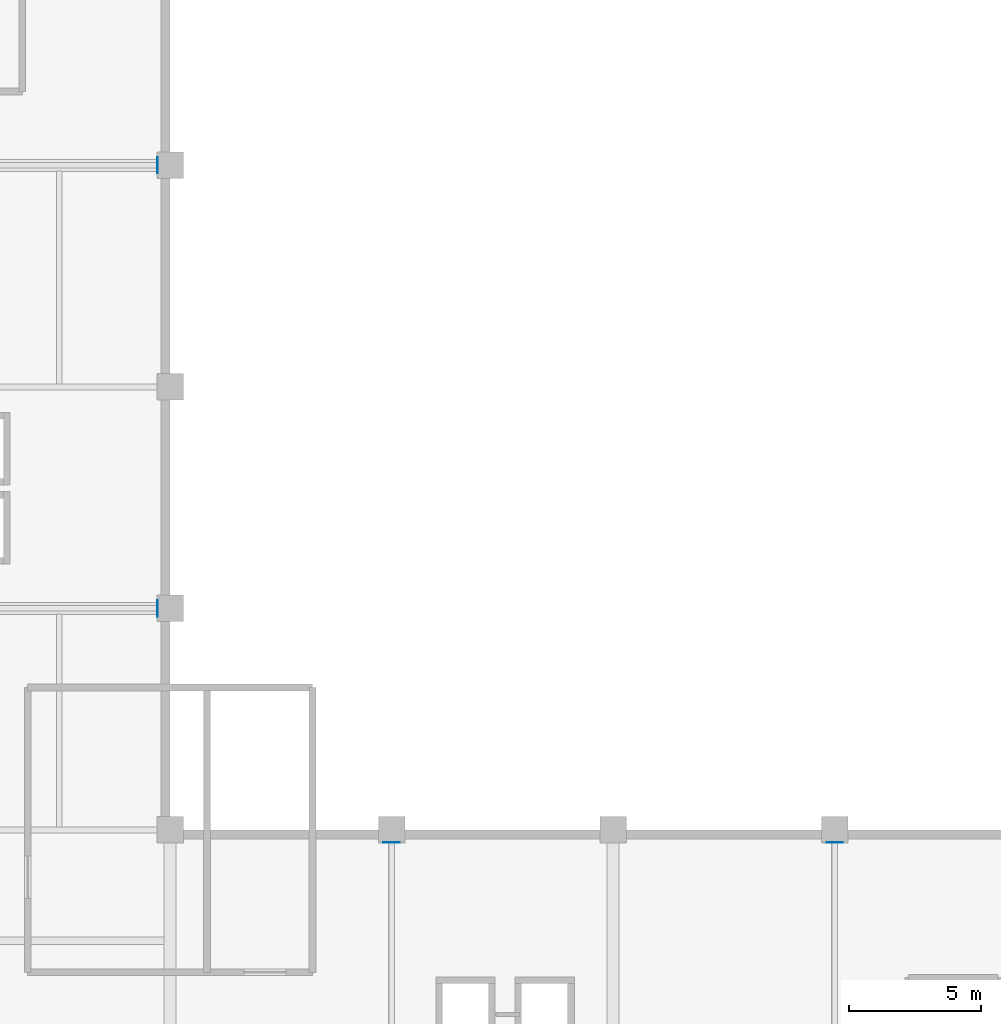
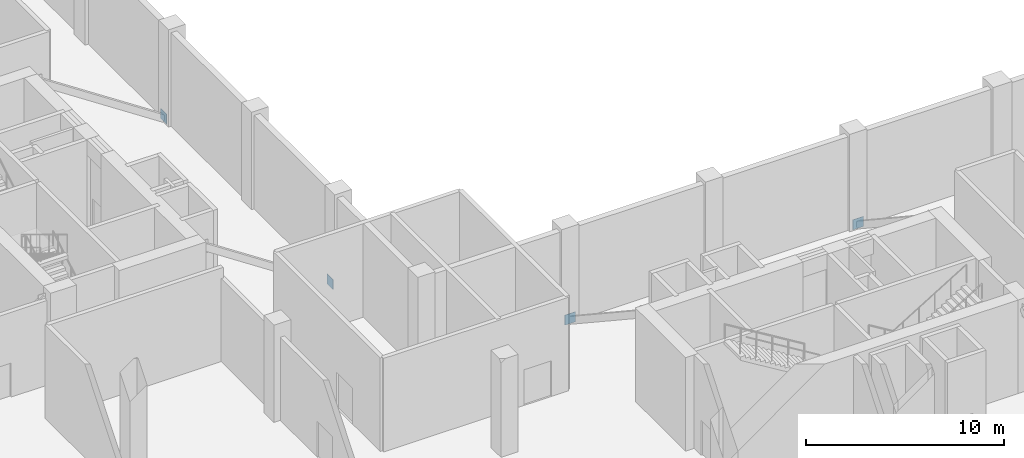
# One storey, part 8 of 16: 4 plates.
"""IFC4 building model written with IfcOpenShell, lengths in metres."""

from ifc_helpers import new_model, si_unit, direction, frame, origin, origin_2d, place, context, subcontext, project, spatial, rectangle, extrude, material, layer, layer_set, type_object, element, save


model = new_model("IFC4")

# Units and contexts
model_context = context("Model", 3, precision=1e-05, world=origin(), true_north=direction((0.0, 1.0)))
body_context = subcontext(model_context, "Body", "Model", "MODEL_VIEW")
ifc_project = project(units=[si_unit("LENGTHUNIT", "METRE"), si_unit("AREAUNIT", "SQUARE_METRE"), si_unit("VOLUMEUNIT", "CUBIC_METRE"), si_unit("PLANEANGLEUNIT", "RADIAN"), si_unit("MASSUNIT", "GRAM", prefix="KILO")], contexts=[model_context])

# Site, building, storey
site_placement = place(None, origin())
site = spatial("IfcSite", under=ifc_project, at=site_placement, CompositionType="ELEMENT")
building_placement = place(site_placement, origin())
building = spatial("IfcBuilding", under=site, at=building_placement, Name="Koriwani Terraces Tower", CompositionType="ELEMENT")
storey_placement = place(building_placement, frame((0.0, 0.0, 162.0)))
storey = spatial("IfcBuildingStorey", under=building, at=storey_placement, Name="L39", CompositionType="ELEMENT", Elevation=162.0)

# Plates
ifc_material = material(Name="Steel ASTM A572 Grade 50", Category="steel")
ifc_layer = layer(ifc_material, 0.02490234375, Name="Steel ASTM A572 Grade 50")
ifc_layer_set = layer_set([ifc_layer], Name="Steel ASTM A572 Grade 50")
plate_type = type_object("IfcPlateType", Name="STEEL_CAP_PLATE_25", PredefinedType="USERDEFINED", material=ifc_layer_set)
for number, where, z_axis, x_axis, name in (
    (1, (33.1201171875, 42.0, 0.0400390625), (0.0, 0.0, 1.0), (-1.0, 0.0, 0.0), "Outrigger truss hollow end cap plate L39-OW-E1"),
    (2, (33.1201171875, 58.800048828125, 0.0400390625), (0.0, 0.0, 1.0), (-1.0, 0.0, 0.0), "Outrigger truss hollow end cap plate L39-OW-E2"),
    (3, (42.0, 33.1201171875, 0.0400390625), (0.0, 0.0, 1.0), (0.0, -1.0, 0.0), "Outrigger truss hollow end cap plate L39-OE-N1"),
    (4, (58.800048828125, 33.1201171875, 0.0400390625), (0.0, 0.0, 1.0), (0.0, -1.0, 0.0), "Outrigger truss hollow end cap plate L39-OE-N2"),
):
    element("IfcPlate", number, at=place(storey_placement, frame(where, z_axis=z_axis, x_axis=x_axis)), inside=storey, type_object=plate_type, Name=name, ObjectType="FLANGE_PLATE", PredefinedType="USERDEFINED", context=body_context, shape_type="SweptSolid", body=[
        extrude(rectangle(XDim=0.02490234375, YDim=0.6201171875, at=origin_2d()), origin(), (0.0, 0.0, 1.0), 0.6201171875),
    ])

save(model, "model.ifc")
